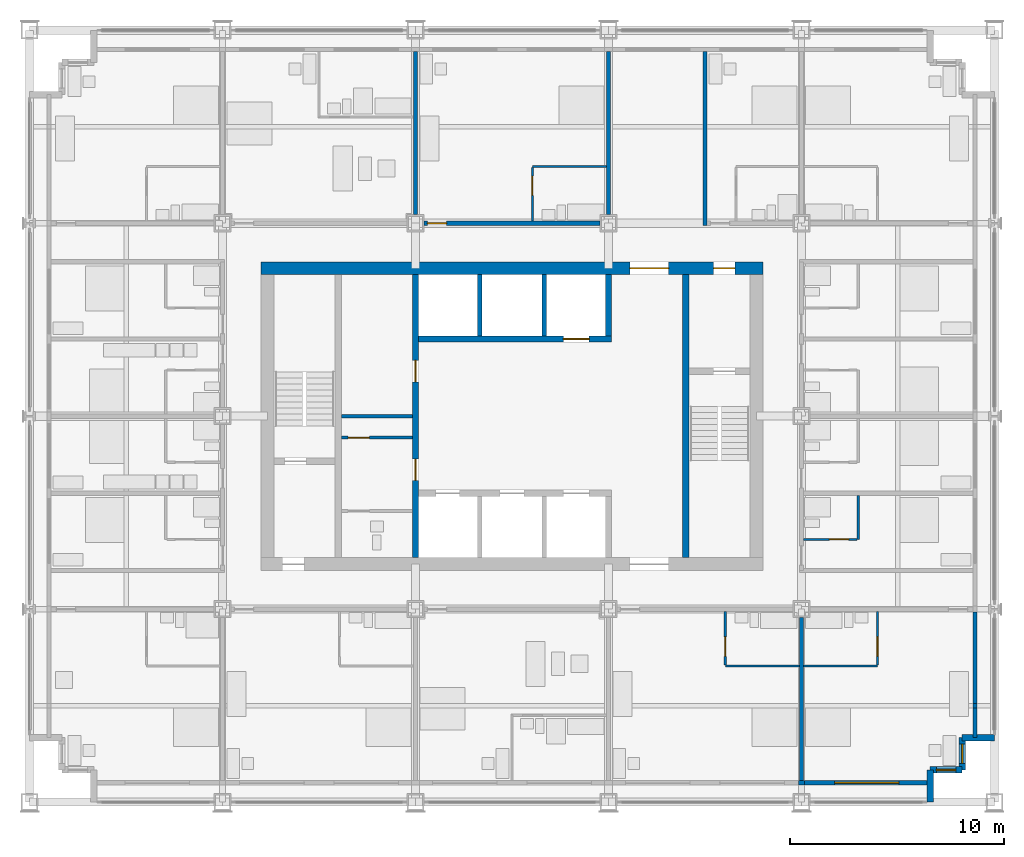
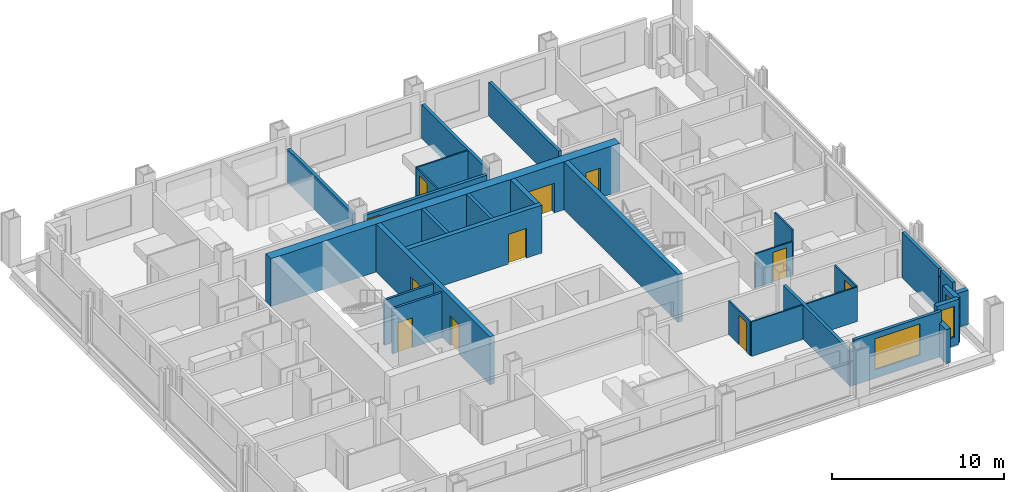
# One storey, part 11 of 16: 31 walls, 11 doors, 3 windows, 14 openings.
"""IFC4 building model written with IfcOpenShell, lengths in metres."""

from ifc_helpers import new_model, si_unit, direction, frame, frame_2d, origin, place, context, subcontext, project, spatial, rectangle, extrude, material, layer, layer_set, type_object, element, fill, save


model = new_model("IFC4")

# Units and contexts
model_context = context("Model", 3, precision=1e-05, world=origin(), true_north=direction((0.0, 1.0)))
body_context = subcontext(model_context, "Body", "Model", "MODEL_VIEW")
ifc_project = project(units=[si_unit("LENGTHUNIT", "METRE"), si_unit("AREAUNIT", "SQUARE_METRE"), si_unit("VOLUMEUNIT", "CUBIC_METRE"), si_unit("PLANEANGLEUNIT", "RADIAN"), si_unit("MASSUNIT", "GRAM", prefix="KILO")], contexts=[model_context])

# Site, building, storey
site_placement = place(None, origin())
site = spatial("IfcSite", under=ifc_project, at=site_placement, CompositionType="ELEMENT")
building_placement = place(site_placement, origin())
building = spatial("IfcBuilding", under=site, at=building_placement, Name="Loomwork Tower", CompositionType="ELEMENT")
storey_placement = place(building_placement, frame((0.0, 0.0, 107.800048828125)))
storey = spatial("IfcBuildingStorey", under=building, at=storey_placement, Name="L28", CompositionType="ELEMENT", Elevation=107.800048828125)

# Wall, openings, doors
ifc_material_1 = material(Name="Concrete 14000 psi (97 MPa)", Category="concrete")
ifc_layer_1 = layer(ifc_material_1, 0.300048828125)
ifc_layer_set_1 = layer_set([ifc_layer_1], Name="Core shear wall 300")
wall_type_1 = type_object("IfcWallType", Name="Core shear wall 300", PredefinedType="SHEAR", material=ifc_layer_set_1)
wall_1_placement = place(storey_placement, frame((18.0, 11.39990234375, 0.0), z_axis=(0.0, 0.0, 1.0), x_axis=(0.0, 1.0, 0.0)))
wall_1 = element("IfcWall", 1, at=wall_1_placement, inside=storey, type_object=wall_type_1, Name="Lobby west wall L28", PredefinedType="SHEAR", context=body_context, shape_type="SweptSolid", body=[
    extrude(rectangle(XDim=13.2001953125, YDim=0.300048828125, at=frame_2d((6.60009765625, 0.0))), origin(), (0.0, 0.0, 1.0), 3.39990234375),
])
opening_1_placement = place(wall_1_placement, frame((3.60009765625, 0.0, 0.0)))
opening_1 = element("IfcOpeningElement", 2, at=opening_1_placement, cuts=wall_1, Name="Opening D5", PredefinedType="OPENING", context=body_context, shape_type="SweptSolid", body=[
    extrude(rectangle(XDim=1.0, YDim=2.10009765625, at=frame_2d((0.5, 1.050048828125))), frame((0.0, 0.159912109375, 0.0), z_axis=(0.0, -1.0, 0.0), x_axis=(1.0, 0.0, 0.0)), (0.0, 0.0, 1.0), 0.320068359375),
])
opening_2_placement = place(wall_1_placement, frame((8.199951171875, 0.0, 0.0)))
opening_2 = element("IfcOpeningElement", 3, at=opening_2_placement, cuts=wall_1, Name="Opening D5", PredefinedType="OPENING", context=body_context, shape_type="SweptSolid", body=[
    extrude(rectangle(XDim=1.0, YDim=2.10009765625, at=frame_2d((0.5, 1.050048828125))), frame((0.0, 0.159912109375, 0.0), z_axis=(0.0, -1.0, 0.0), x_axis=(1.0, 0.0, 0.0)), (0.0, 0.0, 1.0), 0.320068359375),
])
ifc_material_2 = material(Name="Hollow metal door and frame")
door_type_1 = type_object("IfcDoorType", Name="Service door 1000", OperationType="SINGLE_SWING_LEFT", PredefinedType="DOOR", material=ifc_material_2)
door_1_placement = place(opening_1_placement, origin())
door_1 = element("IfcDoor", 4, at=door_1_placement, inside=storey, type_object=door_type_1, Name="Back-of-house door south", OperationType="SINGLE_SWING_LEFT", OverallHeight=2.10009765625, OverallWidth=1.0, PredefinedType="DOOR", context=body_context, shape_type="SweptSolid", body=[
    extrude(rectangle(XDim=1.0, YDim=2.10009765625, at=frame_2d((0.5, 1.050048828125))), frame((0.0, 0.02490234375, 0.0), z_axis=(0.0, -1.0, 0.0), x_axis=(1.0, 0.0, 0.0)), (0.0, 0.0, 1.0), 0.050048828125),
])
fill(opening_1, door_1)
door_2_placement = place(opening_2_placement, origin())
door_2 = element("IfcDoor", 5, at=door_2_placement, inside=storey, type_object=door_type_1, Name="Back-of-house door north", OperationType="SINGLE_SWING_RIGHT", OverallHeight=2.10009765625, OverallWidth=1.0, PredefinedType="DOOR", context=body_context, shape_type="SweptSolid", body=[
    extrude(rectangle(XDim=1.0, YDim=2.10009765625, at=frame_2d((0.5, 1.050048828125))), frame((0.0, 0.02490234375, 0.0), z_axis=(0.0, -1.0, 0.0), x_axis=(1.0, 0.0, 0.0)), (0.0, 0.0, 1.0), 0.050048828125),
])
fill(opening_2, door_2)

# Wall, opening, door
wall_2_placement = place(storey_placement, frame((18.14990234375, 21.60009765625, 0.0), z_axis=(0.0, 0.0, 1.0), x_axis=(1.0, 0.0, 0.0)))
wall_2 = element("IfcWall", 6, at=wall_2_placement, inside=storey, type_object=wall_type_1, Name="Lift front wall north L28", PredefinedType="SHEAR", context=body_context, shape_type="SweptSolid", body=[
    extrude(rectangle(XDim=9.0, YDim=0.300048828125, at=frame_2d((4.5, 0.0))), origin(), (0.0, 0.0, 1.0), 3.39990234375),
])
opening_3_placement = place(wall_2_placement, frame((6.75, 0.0, 0.0)))
opening_3 = element("IfcOpeningElement", 7, at=opening_3_placement, cuts=wall_2, Name="Opening LD2", PredefinedType="OPENING", context=body_context, shape_type="SweptSolid", body=[
    extrude(rectangle(XDim=1.199951171875, YDim=2.10009765625, at=frame_2d((0.60009765625, 1.050048828125))), frame((0.0, 0.159912109375, 0.0), z_axis=(0.0, -1.0, 0.0), x_axis=(1.0, 0.0, 0.0)), (0.0, 0.0, 1.0), 0.320068359375),
])
ifc_material_3 = material(Name="Hollow metal door and frame")
door_type_2 = type_object("IfcDoorType", Name="Lift landing door 1200", OperationType="SLIDING_TO_LEFT", PredefinedType="DOOR", material=ifc_material_3)
door_3_placement = place(opening_3_placement, origin())
door_3 = element("IfcDoor", 8, at=door_3_placement, inside=storey, type_object=door_type_2, Name="Lift landing door LF2", OperationType="SLIDING_TO_LEFT", OverallHeight=2.10009765625, OverallWidth=1.199951171875, PredefinedType="DOOR", context=body_context, shape_type="SweptSolid", body=[
    extrude(rectangle(XDim=1.199951171875, YDim=2.10009765625, at=frame_2d((0.60009765625, 1.050048828125))), frame((0.0, 0.02490234375, 0.0), z_axis=(0.0, -1.0, 0.0), x_axis=(1.0, 0.0, 0.0)), (0.0, 0.0, 1.0), 0.050048828125),
])
fill(opening_3, door_3)

# Walls
wall_3_placement = place(storey_placement, frame((27.0, 21.75, 0.0), z_axis=(0.0, 0.0, 1.0), x_axis=(0.0, 1.0, 0.0)))
element("IfcWall", 9, at=wall_3_placement, inside=storey, type_object=wall_type_1, Name="Lift shaft end wall north L28", PredefinedType="SHEAR", context=body_context, shape_type="SweptSolid", body=[
    extrude(rectangle(XDim=2.85009765625, YDim=0.300048828125, at=frame_2d((1.425048828125, 0.0))), origin(), (0.0, 0.0, 1.0), 3.39990234375),
])
wall_4_placement = place(storey_placement, frame((30.60009765625, 11.39990234375, 0.0), z_axis=(0.0, 0.0, 1.0), x_axis=(0.0, 1.0, 0.0)))
element("IfcWall", 10, at=wall_4_placement, inside=storey, type_object=wall_type_1, Name="Stair B west wall L28", PredefinedType="SHEAR", context=body_context, shape_type="SweptSolid", body=[
    extrude(rectangle(XDim=13.2001953125, YDim=0.300048828125, at=frame_2d((6.60009765625, 0.0))), origin(), (0.0, 0.0, 1.0), 3.39990234375),
])

# Wall, openings, doors
ifc_material_4 = material(Name="Concrete 14000 psi (97 MPa)", Category="concrete")
ifc_layer_2 = layer(ifc_material_4, 0.60009765625)
ifc_layer_set_2 = layer_set([ifc_layer_2], Name="Core shear wall 600")
wall_type_2 = type_object("IfcWallType", Name="Core shear wall 600", PredefinedType="SHEAR", material=ifc_layer_set_2)
wall_5_placement = place(storey_placement, frame((10.800048828125, 24.89990234375, 0.0), z_axis=(0.0, 0.0, 1.0), x_axis=(1.0, 0.0, 0.0)))
wall_5 = element("IfcWall", 11, at=wall_5_placement, inside=storey, type_object=wall_type_2, Name="Core wall north L28", PredefinedType="SHEAR", context=body_context, shape_type="SweptSolid", body=[
    extrude(rectangle(XDim=23.39990234375, YDim=0.60009765625, at=frame_2d((11.699951171875, 0.0))), origin(), (0.0, 0.0, 1.0), 3.39990234375),
])
opening_4_placement = place(wall_5_placement, frame((17.199951171875, 0.0, 0.0)))
opening_4 = element("IfcOpeningElement", 12, at=opening_4_placement, cuts=wall_5, Name="Opening D6", PredefinedType="OPENING", context=body_context, shape_type="SweptSolid", body=[
    extrude(rectangle(XDim=1.800048828125, YDim=2.10009765625, at=frame_2d((0.89990234375, 1.050048828125))), frame((0.0, 0.31005859375, 0.0), z_axis=(0.0, -1.0, 0.0), x_axis=(1.0, 0.0, 0.0)), (0.0, 0.0, 1.0), 0.6201171875),
])
opening_5_placement = place(wall_5_placement, frame((21.10009765625, 0.0, 0.0)))
opening_5 = element("IfcOpeningElement", 13, at=opening_5_placement, cuts=wall_5, Name="Opening D4", PredefinedType="OPENING", context=body_context, shape_type="SweptSolid", body=[
    extrude(rectangle(XDim=1.0, YDim=2.10009765625, at=frame_2d((0.5, 1.050048828125))), frame((0.0, 0.31005859375, 0.0), z_axis=(0.0, -1.0, 0.0), x_axis=(1.0, 0.0, 0.0)), (0.0, 0.0, 1.0), 0.6201171875),
])
ifc_material_5 = material(Name="Hollow metal door and frame")
door_type_3 = type_object("IfcDoorType", Name="Lobby passage double door 1800", OperationType="DOUBLE_DOOR_SINGLE_SWING", PredefinedType="DOOR", material=ifc_material_5)
door_4_placement = place(opening_4_placement, frame((1.800048828125, 0.0, 0.0), z_axis=(0.0, 0.0, 1.0), x_axis=(-1.0, 0.0, 0.0)))
door_4 = element("IfcDoor", 14, at=door_4_placement, inside=storey, type_object=door_type_3, Name="Lobby passage door north", OperationType="DOUBLE_DOOR_SINGLE_SWING", OverallHeight=2.10009765625, OverallWidth=1.800048828125, PredefinedType="DOOR", context=body_context, shape_type="SweptSolid", body=[
    extrude(rectangle(XDim=1.800048828125, YDim=2.10009765625, at=frame_2d((0.89990234375, 1.050048828125))), frame((0.0, 0.02490234375, 0.0), z_axis=(0.0, -1.0, 0.0), x_axis=(1.0, 0.0, 0.0)), (0.0, 0.0, 1.0), 0.050048828125),
])
fill(opening_4, door_4)
ifc_material_6 = material(Name="Hollow metal door and frame")
door_type_4 = type_object("IfcDoorType", Name="Stair door 1000", OperationType="SINGLE_SWING_RIGHT", PredefinedType="DOOR", material=ifc_material_6)
door_5_placement = place(opening_5_placement, frame((1.0, 0.0, 0.0), z_axis=(0.0, 0.0, 1.0), x_axis=(-1.0, 0.0, 0.0)))
door_5 = element("IfcDoor", 15, at=door_5_placement, inside=storey, type_object=door_type_4, Name="Stair B vestibule door", OperationType="SINGLE_SWING_LEFT", OverallHeight=2.10009765625, OverallWidth=1.0, PredefinedType="DOOR", context=body_context, shape_type="SweptSolid", body=[
    extrude(rectangle(XDim=1.0, YDim=2.10009765625, at=frame_2d((0.5, 1.050048828125))), frame((0.0, 0.02490234375, 0.0), z_axis=(0.0, -1.0, 0.0), x_axis=(1.0, 0.0, 0.0)), (0.0, 0.0, 1.0), 0.050048828125),
])
fill(opening_5, door_5)

# Wall, opening, door
ifc_material_7 = material(Name="Gypsum board on steel studs, one-hour", Category="steel")
ifc_layer_3 = layer(ifc_material_7, 0.199951171875)
ifc_layer_set_3 = layer_set([ifc_layer_3], Name="Corridor wall 200")
wall_type_3 = type_object("IfcWallType", Name="Corridor wall 200", PredefinedType="PARTITIONING", material=ifc_layer_set_3)
wall_6_placement = place(storey_placement, frame((18.39990234375, 27.0, 0.0), z_axis=(0.0, 0.0, 1.0), x_axis=(1.0, 0.0, 0.0)))
wall_6 = element("IfcWall", 16, at=wall_6_placement, inside=storey, type_object=wall_type_3, Name="North corridor wall 3", PredefinedType="PARTITIONING", context=body_context, shape_type="SweptSolid", body=[
    extrude(rectangle(XDim=8.2001953125, YDim=0.199951171875, at=frame_2d((4.10009765625, 0.0))), origin(), (0.0, 0.0, 1.0), 2.405029296875),
])
opening_6_placement = place(wall_6_placement, frame((0.14990234375, 0.0, 0.0)))
opening_6 = element("IfcOpeningElement", 17, at=opening_6_placement, cuts=wall_6, Name="Opening D1", PredefinedType="OPENING", context=body_context, shape_type="SweptSolid", body=[
    extrude(rectangle(XDim=0.89990234375, YDim=2.10009765625, at=frame_2d((0.449951171875, 1.050048828125))), frame((0.0, 0.10986328125, 0.0), z_axis=(0.0, -1.0, 0.0), x_axis=(1.0, 0.0, 0.0)), (0.0, 0.0, 1.0), 0.219970703125),
])
ifc_material_8 = material(Name="Hollow metal door and frame")
door_type_5 = type_object("IfcDoorType", Name="Guest room entry door 900", OperationType="SINGLE_SWING_LEFT", PredefinedType="DOOR", material=ifc_material_8)
door_6_placement = place(opening_6_placement, origin())
door_6 = element("IfcDoor", 18, at=door_6_placement, inside=storey, type_object=door_type_5, Name="Guest room entry door L28 8", OperationType="SINGLE_SWING_LEFT", OverallHeight=2.10009765625, OverallWidth=0.89990234375, PredefinedType="DOOR", context=body_context, shape_type="SweptSolid", body=[
    extrude(rectangle(XDim=0.89990234375, YDim=2.10009765625, at=frame_2d((0.449951171875, 1.050048828125))), frame((0.0, 0.02490234375, 0.0), z_axis=(0.0, -1.0, 0.0), x_axis=(1.0, 0.0, 0.0)), (0.0, 0.0, 1.0), 0.050048828125),
])
fill(opening_6, door_6)

# Wall
ifc_material_9 = material(Name="Cement board on steel studs", Category="steel")
ifc_layer_4 = layer(ifc_material_9, 0.10009765625)
ifc_layer_set_4 = layer_set([ifc_layer_4], Name="En-suite partition 100")
wall_type_4 = type_object("IfcWallType", Name="En-suite partition 100", PredefinedType="PARTITIONING", material=ifc_layer_set_4)
wall_7_placement = place(storey_placement, frame((32.449951171875, 6.35009765625, 0.0), z_axis=(0.0, 0.0, 1.0), x_axis=(1.0, 0.0, 0.0)))
element("IfcWall", 19, at=wall_7_placement, inside=storey, type_object=wall_type_4, Name="En-suite wall L28 room 4", PredefinedType="PARTITIONING", context=body_context, shape_type="SweptSolid", body=[
    extrude(rectangle(XDim=3.449951171875, YDim=0.10009765625, at=frame_2d((1.72509765625, 0.0))), origin(), (0.0, 0.0, 1.0), 2.43798828125),
])

# Wall, opening, door
wall_8_placement = place(storey_placement, frame((32.449951171875, 8.89990234375, 0.0), z_axis=(0.0, 0.0, 1.0), x_axis=(0.0, -1.0, 0.0)))
wall_8 = element("IfcWall", 20, at=wall_8_placement, inside=storey, type_object=wall_type_4, Name="En-suite side wall L28 room 4", PredefinedType="PARTITIONING", context=body_context, shape_type="SweptSolid", body=[
    extrude(rectangle(XDim=2.5, YDim=0.10009765625, at=frame_2d((1.25, 0.0))), origin(), (0.0, 0.0, 1.0), 2.404052734375),
])
opening_7_placement = place(wall_8_placement, frame((1.199951171875, 0.0, 0.0)))
opening_7 = element("IfcOpeningElement", 21, at=opening_7_placement, cuts=wall_8, Name="Opening D2", PredefinedType="OPENING", context=body_context, shape_type="SweptSolid", body=[
    extrude(rectangle(XDim=0.89990234375, YDim=2.10009765625, at=frame_2d((0.449951171875, 1.050048828125))), frame((0.0, 0.06005859375, 0.0), z_axis=(0.0, -1.0, 0.0), x_axis=(1.0, 0.0, 0.0)), (0.0, 0.0, 1.0), 0.1201171875),
])
ifc_material_10 = material(Name="Hollow metal door and frame")
door_type_6 = type_object("IfcDoorType", Name="En-suite door 900", OperationType="SINGLE_SWING_LEFT", PredefinedType="DOOR", material=ifc_material_10)
door_7_placement = place(opening_7_placement, origin())
door_7 = element("IfcDoor", 22, at=door_7_placement, inside=storey, type_object=door_type_6, Name="En-suite door room 4", OperationType="SINGLE_SWING_RIGHT", OverallHeight=2.10009765625, OverallWidth=0.89990234375, PredefinedType="DOOR", context=body_context, shape_type="SweptSolid", body=[
    extrude(rectangle(XDim=0.89990234375, YDim=2.10009765625, at=frame_2d((0.449951171875, 1.050048828125))), frame((0.0, 0.02490234375, 0.0), z_axis=(0.0, -1.0, 0.0), x_axis=(1.0, 0.0, 0.0)), (0.0, 0.0, 1.0), 0.050048828125),
])
fill(opening_7, door_7)

# Wall
wall_9_placement = place(storey_placement, frame((36.10009765625, 6.35009765625, 0.0), z_axis=(0.0, 0.0, 1.0), x_axis=(1.0, 0.0, 0.0)))
element("IfcWall", 23, at=wall_9_placement, inside=storey, type_object=wall_type_4, Name="En-suite wall L28 room 5", PredefinedType="PARTITIONING", context=body_context, shape_type="SweptSolid", body=[
    extrude(rectangle(XDim=3.449951171875, YDim=0.10009765625, at=frame_2d((1.72509765625, 0.0))), origin(), (0.0, 0.0, 1.0), 2.43798828125),
])

# Wall, opening, door
wall_10_placement = place(storey_placement, frame((39.550048828125, 8.89990234375, 0.0), z_axis=(0.0, 0.0, 1.0), x_axis=(0.0, -1.0, 0.0)))
wall_10 = element("IfcWall", 24, at=wall_10_placement, inside=storey, type_object=wall_type_4, Name="En-suite side wall L28 room 5", PredefinedType="PARTITIONING", context=body_context, shape_type="SweptSolid", body=[
    extrude(rectangle(XDim=2.5, YDim=0.10009765625, at=frame_2d((1.25, 0.0))), origin(), (0.0, 0.0, 1.0), 2.43798828125),
])
opening_8_placement = place(wall_10_placement, frame((1.199951171875, 0.0, 0.0)))
opening_8 = element("IfcOpeningElement", 25, at=opening_8_placement, cuts=wall_10, Name="Opening D2", PredefinedType="OPENING", context=body_context, shape_type="SweptSolid", body=[
    extrude(rectangle(XDim=0.89990234375, YDim=2.10009765625, at=frame_2d((0.449951171875, 1.050048828125))), frame((0.0, 0.06005859375, 0.0), z_axis=(0.0, -1.0, 0.0), x_axis=(1.0, 0.0, 0.0)), (0.0, 0.0, 1.0), 0.1201171875),
])
door_8_placement = place(opening_8_placement, frame((0.89990234375, 0.0, 0.0), z_axis=(0.0, 0.0, 1.0), x_axis=(-1.0, 0.0, 0.0)))
door_8 = element("IfcDoor", 26, at=door_8_placement, inside=storey, type_object=door_type_6, Name="En-suite door room 5", OperationType="SINGLE_SWING_LEFT", OverallHeight=2.10009765625, OverallWidth=0.89990234375, PredefinedType="DOOR", context=body_context, shape_type="SweptSolid", body=[
    extrude(rectangle(XDim=0.89990234375, YDim=2.10009765625, at=frame_2d((0.449951171875, 1.050048828125))), frame((0.0, 0.02490234375, 0.0), z_axis=(0.0, -1.0, 0.0), x_axis=(1.0, 0.0, 0.0)), (0.0, 0.0, 1.0), 0.050048828125),
])
fill(opening_8, door_8)

# Wall
wall_11_placement = place(storey_placement, frame((23.449951171875, 29.64990234375, 0.0), z_axis=(0.0, 0.0, 1.0), x_axis=(1.0, 0.0, 0.0)))
element("IfcWall", 27, at=wall_11_placement, inside=storey, type_object=wall_type_4, Name="En-suite wall L28 room 8", PredefinedType="PARTITIONING", context=body_context, shape_type="SweptSolid", body=[
    extrude(rectangle(XDim=3.449951171875, YDim=0.10009765625, at=frame_2d((1.72509765625, 0.0))), origin(), (0.0, 0.0, 1.0), 2.404052734375),
])

# Wall, opening, door
wall_12_placement = place(storey_placement, frame((23.449951171875, 27.10009765625, 0.0), z_axis=(0.0, 0.0, 1.0), x_axis=(0.0, 1.0, 0.0)))
wall_12 = element("IfcWall", 28, at=wall_12_placement, inside=storey, type_object=wall_type_4, Name="En-suite side wall L28 room 8", PredefinedType="PARTITIONING", context=body_context, shape_type="SweptSolid", body=[
    extrude(rectangle(XDim=2.5, YDim=0.10009765625, at=frame_2d((1.25, 0.0))), origin(), (0.0, 0.0, 1.0), 2.404052734375),
])
opening_9_placement = place(wall_12_placement, frame((1.199951171875, 0.0, 0.0)))
opening_9 = element("IfcOpeningElement", 29, at=opening_9_placement, cuts=wall_12, Name="Opening D2", PredefinedType="OPENING", context=body_context, shape_type="SweptSolid", body=[
    extrude(rectangle(XDim=0.89990234375, YDim=2.10009765625, at=frame_2d((0.449951171875, 1.050048828125))), frame((0.0, 0.06005859375, 0.0), z_axis=(0.0, -1.0, 0.0), x_axis=(1.0, 0.0, 0.0)), (0.0, 0.0, 1.0), 0.1201171875),
])
door_9_placement = place(opening_9_placement, frame((0.89990234375, 0.0, 0.0), z_axis=(0.0, 0.0, 1.0), x_axis=(-1.0, 0.0, 0.0)))
door_9 = element("IfcDoor", 30, at=door_9_placement, inside=storey, type_object=door_type_6, Name="En-suite door room 8", OperationType="SINGLE_SWING_LEFT", OverallHeight=2.10009765625, OverallWidth=0.89990234375, PredefinedType="DOOR", context=body_context, shape_type="SweptSolid", body=[
    extrude(rectangle(XDim=0.89990234375, YDim=2.10009765625, at=frame_2d((0.449951171875, 1.050048828125))), frame((0.0, 0.02490234375, 0.0), z_axis=(0.0, -1.0, 0.0), x_axis=(1.0, 0.0, 0.0)), (0.0, 0.0, 1.0), 0.050048828125),
])
fill(opening_9, door_9)

# Wall
wall_13_placement = place(storey_placement, frame((38.64990234375, 12.25, 0.0), z_axis=(0.0, 0.0, 1.0), x_axis=(0.0, 1.0, 0.0)))
element("IfcWall", 31, at=wall_13_placement, inside=storey, type_object=wall_type_4, Name="En-suite wall L28 room 15", PredefinedType="PARTITIONING", context=body_context, shape_type="SweptSolid", body=[
    extrude(rectangle(XDim=2.050048828125, YDim=0.10009765625, at=frame_2d((1.02490234375, 0.0))), origin(), (0.0, 0.0, 1.0), 3.199951171875),
])

# Wall, opening, door
wall_14_placement = place(storey_placement, frame((36.10009765625, 12.25, 0.0), z_axis=(0.0, 0.0, 1.0), x_axis=(1.0, 0.0, 0.0)))
wall_14 = element("IfcWall", 32, at=wall_14_placement, inside=storey, type_object=wall_type_4, Name="En-suite side wall L28 room 15", PredefinedType="PARTITIONING", context=body_context, shape_type="SweptSolid", body=[
    extrude(rectangle(XDim=2.5, YDim=0.10009765625, at=frame_2d((1.25, 0.0))), origin(), (0.0, 0.0, 1.0), 2.404052734375),
])
opening_10_placement = place(wall_14_placement, frame((1.199951171875, 0.0, 0.0)))
opening_10 = element("IfcOpeningElement", 33, at=opening_10_placement, cuts=wall_14, Name="Opening D2", PredefinedType="OPENING", context=body_context, shape_type="SweptSolid", body=[
    extrude(rectangle(XDim=0.89990234375, YDim=2.10009765625, at=frame_2d((0.449951171875, 1.050048828125))), frame((0.0, 0.06005859375, 0.0), z_axis=(0.0, -1.0, 0.0), x_axis=(1.0, 0.0, 0.0)), (0.0, 0.0, 1.0), 0.1201171875),
])
door_10_placement = place(opening_10_placement, origin())
door_10 = element("IfcDoor", 34, at=door_10_placement, inside=storey, type_object=door_type_6, Name="En-suite door room 15", OperationType="SINGLE_SWING_RIGHT", OverallHeight=2.10009765625, OverallWidth=0.89990234375, PredefinedType="DOOR", context=body_context, shape_type="SweptSolid", body=[
    extrude(rectangle(XDim=0.89990234375, YDim=2.10009765625, at=frame_2d((0.449951171875, 1.050048828125))), frame((0.0, 0.02490234375, 0.0), z_axis=(0.0, -1.0, 0.0), x_axis=(1.0, 0.0, 0.0)), (0.0, 0.0, 1.0), 0.050048828125),
])
fill(opening_10, door_10)

# Walls
ifc_material_11 = material(Name="Gypsum board on steel studs, acoustic", Category="steel")
ifc_layer_5 = layer(ifc_material_11, 0.199951171875)
ifc_layer_set_5 = layer_set([ifc_layer_5], Name="Guest room party wall 200")
wall_type_5 = type_object("IfcWallType", Name="Guest room party wall 200", PredefinedType="PARTITIONING", material=ifc_layer_set_5)
wall_15_placement = place(storey_placement, frame((36.0, 8.60009765625, 0.0), z_axis=(0.0, 0.0, 1.0), x_axis=(0.0, -1.0, 0.0)))
element("IfcWall", 35, at=wall_15_placement, inside=storey, type_object=wall_type_5, Name="Guest room party wall S 36", PredefinedType="PARTITIONING", context=body_context, shape_type="SweptSolid", body=[
    extrude(rectangle(XDim=7.60009765625, YDim=0.199951171875, at=frame_2d((3.800048828125, 0.0))), origin(), (0.0, 0.0, 1.0), 2.43798828125),
])
for number, where, z_axis, x_axis, name in (
    (36, (18.0, 27.39990234375, 0.0), (0.0, 0.0, 1.0), (0.0, 1.0, 0.0), "Guest room party wall N 18"),
    (37, (27.0, 27.39990234375, 0.0), (0.0, 0.0, 1.0), (0.0, 1.0, 0.0), "Guest room party wall N 27"),
):
    element("IfcWall", number, at=place(storey_placement, frame(where, z_axis=z_axis, x_axis=x_axis)), inside=storey, type_object=wall_type_5, Name=name, PredefinedType="PARTITIONING", context=body_context, shape_type="SweptSolid", body=[
        extrude(rectangle(XDim=7.60009765625, YDim=0.199951171875, at=frame_2d((3.800048828125, 0.0))), origin(), (0.0, 0.0, 1.0), 2.405029296875),
    ])
wall_16_placement = place(storey_placement, frame((31.5, 26.89990234375, 0.0), z_axis=(0.0, 0.0, 1.0), x_axis=(0.0, 1.0, 0.0)))
element("IfcWall", 38, at=wall_16_placement, inside=storey, type_object=wall_type_5, Name="Guest room party wall N 31.5", PredefinedType="PARTITIONING", context=body_context, shape_type="SweptSolid", body=[
    extrude(rectangle(XDim=8.10009765625, YDim=0.199951171875, at=frame_2d((4.050048828125, 0.0))), origin(), (0.0, 0.0, 1.0), 2.404052734375),
])
ifc_material_12 = material(Name="Insulated steel stud wall with gypsum lining", Category="steel")
ifc_layer_6 = layer(ifc_material_12, 0.199951171875)
ifc_layer_set_6 = layer_set([ifc_layer_6], Name="Inner skin wall 200")
wall_type_6 = type_object("IfcWallType", Name="Inner skin wall 200", PredefinedType="SOLIDWALL", material=ifc_layer_set_6)
wall_17_placement = place(storey_placement, frame((44.10009765625, 3.0, 0.0), z_axis=(0.0, 0.0, 1.0), x_axis=(0.0, 1.0, 0.0)))
element("IfcWall", 39, at=wall_17_placement, inside=storey, type_object=wall_type_6, Name="Inner skin wall E", PredefinedType="SOLIDWALL", context=body_context, shape_type="SweptSolid", body=[
    extrude(rectangle(XDim=1.392578125, YDim=0.199951171875, at=frame_2d((0.6962890625, 0.0))), origin(), (0.0, 0.0, 1.0), 3.199951171875),
])
wall_18_placement = place(storey_placement, frame((35.864501953125, 0.89990234375, 0.0), z_axis=(0.0, 0.0, 1.0), x_axis=(1.0, 0.0, 0.0)))
element("IfcWall", 40, at=wall_18_placement, inside=storey, type_object=wall_type_6, Name="Inner skin wall S bay 8", PredefinedType="SOLIDWALL", context=body_context, shape_type="SweptSolid", body=[
    extrude(rectangle(XDim=0.27099609375, YDim=0.199951171875, at=frame_2d((0.135498046875, 0.0))), origin(), (0.0, 0.0, 1.0), 2.43798828125),
])

# Wall, opening, window
wall_19_placement = place(storey_placement, frame((36.135498046875, 0.89990234375, 0.0), z_axis=(0.0, 0.0, 1.0), x_axis=(1.0, 0.0, 0.0)))
wall_19 = element("IfcWall", 41, at=wall_19_placement, inside=storey, type_object=wall_type_6, Name="Inner skin wall S bay 9", PredefinedType="SOLIDWALL", context=body_context, shape_type="SweptSolid", body=[
    extrude(rectangle(XDim=5.864501953125, YDim=0.199951171875, at=frame_2d((2.93212890625, 0.0))), origin(), (0.0, 0.0, 1.0), 3.199951171875),
])
opening_11_placement = place(wall_19_placement, frame((1.41455078125, 0.0, 0.60009765625)))
opening_11 = element("IfcOpeningElement", 42, at=opening_11_placement, cuts=wall_19, Name="Opening CH1", PredefinedType="OPENING", context=body_context, shape_type="SweptSolid", body=[
    extrude(rectangle(XDim=3.0, YDim=2.199951171875, at=frame_2d((1.5, 1.10009765625))), frame((0.0, 0.10986328125, 0.0), z_axis=(0.0, -1.0, 0.0), x_axis=(1.0, 0.0, 0.0)), (0.0, 0.0, 1.0), 0.219970703125),
])
ifc_material_13 = material(Name="Aluminium frame with clear insulated glass", Category="aluminium")
window_type_1 = type_object("IfcWindowType", Name="Chicago window 3000", PartitioningType="TRIPLE_PANEL_VERTICAL", PredefinedType="WINDOW", material=ifc_material_13)
window_1_placement = place(opening_11_placement, origin())
window_1 = element("IfcWindow", 43, at=window_1_placement, inside=storey, type_object=window_type_1, Name="Chicago window L28 bay 5", OverallHeight=2.199951171875, OverallWidth=3.0, PartitioningType="TRIPLE_PANEL_VERTICAL", PredefinedType="WINDOW", context=body_context, shape_type="SweptSolid", body=[
    extrude(rectangle(XDim=3.0, YDim=2.199951171875, at=frame_2d((1.5, 1.10009765625))), frame((0.0, 0.030029296875, 0.0), z_axis=(0.0, -1.0, 0.0), x_axis=(1.0, 0.0, 0.0)), (0.0, 0.0, 1.0), 0.06005859375),
])
fill(opening_11, window_1)

# Walls
wall_20_placement = place(storey_placement, frame((44.10009765625, 4.392578125, 0.0), z_axis=(0.0, 0.0, 1.0), x_axis=(0.0, 1.0, 0.0)))
element("IfcWall", 44, at=wall_20_placement, inside=storey, type_object=wall_type_6, Name="Inner skin wall E bay 2", PredefinedType="SOLIDWALL", context=body_context, shape_type="SweptSolid", body=[
    extrude(rectangle(XDim=0.21484375, YDim=0.199951171875, at=frame_2d((0.107421875, 0.0))), origin(), (0.0, 0.0, 1.0), 2.660888671875),
])
wall_21_placement = place(storey_placement, frame((44.10009765625, 4.607421875, 0.0), z_axis=(0.0, 0.0, 1.0), x_axis=(0.0, 1.0, 0.0)))
element("IfcWall", 45, at=wall_21_placement, inside=storey, type_object=wall_type_6, Name="Inner skin wall E bay 3", PredefinedType="SOLIDWALL", context=body_context, shape_type="SweptSolid", body=[
    extrude(rectangle(XDim=4.25732421875, YDim=0.199951171875, at=frame_2d((2.128662109375, 0.0))), origin(), (0.0, 0.0, 1.0), 3.199951171875),
])
ifc_material_14 = material(Name="Concrete 14000 psi (97 MPa)", Category="concrete")
ifc_layer_7 = layer(ifc_material_14, 0.199951171875)
ifc_layer_set_7 = layer_set([ifc_layer_7], Name="Lift shaft wall 200")
wall_type_7 = type_object("IfcWallType", Name="Lift shaft wall 200", PredefinedType="SHEAR", material=ifc_layer_set_7)
for number, where, z_axis, x_axis, name in (
    (46, (21.0, 21.75, 0.0), (0.0, 0.0, 1.0), (0.0, 1.0, 0.0), "Lift shaft separation wall north 1 L28"),
    (47, (24.0, 21.75, 0.0), (0.0, 0.0, 1.0), (0.0, 1.0, 0.0), "Lift shaft separation wall north 2 L28"),
):
    element("IfcWall", number, at=place(storey_placement, frame(where, z_axis=z_axis, x_axis=x_axis)), inside=storey, type_object=wall_type_7, Name=name, PredefinedType="SHEAR", context=body_context, shape_type="SweptSolid", body=[
        extrude(rectangle(XDim=2.85009765625, YDim=0.199951171875, at=frame_2d((1.425048828125, 0.0))), origin(), (0.0, 0.0, 1.0), 3.39990234375),
    ])
ifc_material_15 = material(Name="Limestone on concrete masonry", Category="masonry")
ifc_layer_8 = layer(ifc_material_15, 0.300048828125)
ifc_layer_set_8 = layer_set([ifc_layer_8], Name="Limestone corner wall 300")
wall_type_8 = type_object("IfcWallType", Name="Limestone corner wall 300", PredefinedType="SOLIDWALL", material=ifc_layer_set_8)
wall_22_placement = place(storey_placement, frame((42.0, 0.0, 0.0), z_axis=(0.0, 0.0, 1.0), x_axis=(0.0, 1.0, 0.0)))
element("IfcWall", 48, at=wall_22_placement, inside=storey, type_object=wall_type_8, Name="Stone corner wall SE 1", PredefinedType="SOLIDWALL", context=body_context, shape_type="SweptSolid", body=[
    extrude(rectangle(XDim=1.5, YDim=0.300048828125, at=frame_2d((0.75, 0.0))), origin(), (0.0, 0.0, 1.0), 2.419921875),
])

# Wall, opening, window
wall_23_placement = place(storey_placement, frame((42.0, 1.5, 0.0), z_axis=(0.0, 0.0, 1.0), x_axis=(1.0, 0.0, 0.0)))
wall_23 = element("IfcWall", 49, at=wall_23_placement, inside=storey, type_object=wall_type_8, Name="Stone corner wall SE 2", PredefinedType="SOLIDWALL", context=body_context, shape_type="SweptSolid", body=[
    extrude(rectangle(XDim=1.5, YDim=0.300048828125, at=frame_2d((0.75, 0.0))), origin(), (0.0, 0.0, 1.0), 3.199951171875),
])
opening_12_placement = place(wall_23_placement, frame((0.300048828125, 0.0, 0.60009765625)))
opening_12 = element("IfcOpeningElement", 50, at=opening_12_placement, cuts=wall_23, Name="Opening CH2", PredefinedType="OPENING", context=body_context, shape_type="SweptSolid", body=[
    extrude(rectangle(XDim=0.89990234375, YDim=2.199951171875, at=frame_2d((0.449951171875, 1.10009765625))), frame((0.0, 0.159912109375, 0.0), z_axis=(0.0, -1.0, 0.0), x_axis=(1.0, 0.0, 0.0)), (0.0, 0.0, 1.0), 0.320068359375),
])
ifc_material_16 = material(Name="Aluminium frame with clear insulated glass", Category="aluminium")
window_type_2 = type_object("IfcWindowType", Name="Corner window 900", PartitioningType="SINGLE_PANEL", PredefinedType="WINDOW", material=ifc_material_16)
window_2_placement = place(opening_12_placement, origin())
window_2 = element("IfcWindow", 51, at=window_2_placement, inside=storey, type_object=window_type_2, Name="Corner window SE", OverallHeight=2.199951171875, OverallWidth=0.89990234375, PartitioningType="SINGLE_PANEL", PredefinedType="WINDOW", context=body_context, shape_type="SweptSolid", body=[
    extrude(rectangle(XDim=0.89990234375, YDim=2.199951171875, at=frame_2d((0.449951171875, 1.10009765625))), frame((0.0, 0.030029296875, 0.0), z_axis=(0.0, -1.0, 0.0), x_axis=(1.0, 0.0, 0.0)), (0.0, 0.0, 1.0), 0.06005859375),
])
fill(opening_12, window_2)

wall_24_placement = place(storey_placement, frame((43.5, 1.5, 0.0), z_axis=(0.0, 0.0, 1.0), x_axis=(0.0, 1.0, 0.0)))
wall_24 = element("IfcWall", 52, at=wall_24_placement, inside=storey, type_object=wall_type_8, Name="Stone corner wall SE 3", PredefinedType="SOLIDWALL", context=body_context, shape_type="SweptSolid", body=[
    extrude(rectangle(XDim=1.5, YDim=0.300048828125, at=frame_2d((0.75, 0.0))), origin(), (0.0, 0.0, 1.0), 3.199951171875),
])
opening_13_placement = place(wall_24_placement, frame((0.300048828125, 0.0, 0.60009765625)))
opening_13 = element("IfcOpeningElement", 53, at=opening_13_placement, cuts=wall_24, Name="Opening CH2", PredefinedType="OPENING", context=body_context, shape_type="SweptSolid", body=[
    extrude(rectangle(XDim=0.89990234375, YDim=2.199951171875, at=frame_2d((0.449951171875, 1.10009765625))), frame((0.0, 0.159912109375, 0.0), z_axis=(0.0, -1.0, 0.0), x_axis=(1.0, 0.0, 0.0)), (0.0, 0.0, 1.0), 0.320068359375),
])
window_3_placement = place(opening_13_placement, origin())
window_3 = element("IfcWindow", 54, at=window_3_placement, inside=storey, type_object=window_type_2, Name="Corner window SE", OverallHeight=2.199951171875, OverallWidth=0.89990234375, PartitioningType="SINGLE_PANEL", PredefinedType="WINDOW", context=body_context, shape_type="SweptSolid", body=[
    extrude(rectangle(XDim=0.89990234375, YDim=2.199951171875, at=frame_2d((0.449951171875, 1.10009765625))), frame((0.0, 0.030029296875, 0.0), z_axis=(0.0, -1.0, 0.0), x_axis=(1.0, 0.0, 0.0)), (0.0, 0.0, 1.0), 0.06005859375),
])
fill(opening_13, window_3)

# Walls
wall_25_placement = place(storey_placement, frame((43.5, 3.0, 0.0), z_axis=(0.0, 0.0, 1.0), x_axis=(1.0, 0.0, 0.0)))
element("IfcWall", 55, at=wall_25_placement, inside=storey, type_object=wall_type_8, Name="Stone corner wall SE 4", PredefinedType="SOLIDWALL", context=body_context, shape_type="SweptSolid", body=[
    extrude(rectangle(XDim=1.5, YDim=0.300048828125, at=frame_2d((0.75, 0.0))), origin(), (0.0, 0.0, 1.0), 2.419921875),
])
ifc_material_17 = material(Name="Gypsum board on steel studs", Category="steel")
ifc_layer_9 = layer(ifc_material_17, 0.14990234375)
ifc_layer_set_9 = layer_set([ifc_layer_9], Name="Partition 150 two-hour")
wall_type_9 = type_object("IfcWallType", Name="Partition 150 two-hour", PredefinedType="PARTITIONING", material=ifc_layer_set_9)
wall_26_placement = place(storey_placement, frame((14.550048828125, 18.0, 0.0), z_axis=(0.0, 0.0, 1.0), x_axis=(1.0, 0.0, 0.0)))
element("IfcWall", 56, at=wall_26_placement, inside=storey, type_object=wall_type_9, Name="Back-of-house dividing wall L28", PredefinedType="PARTITIONING", context=body_context, shape_type="SweptSolid", body=[
    extrude(rectangle(XDim=3.300048828125, YDim=0.14990234375, at=frame_2d((1.64990234375, 0.0))), origin(), (0.0, 0.0, 1.0), 3.199951171875),
])

# Wall, opening, door
ifc_material_18 = material(Name="Gypsum board on steel studs, one-hour", Category="steel")
ifc_layer_10 = layer(ifc_material_18, 0.14990234375)
ifc_layer_set_10 = layer_set([ifc_layer_10], Name="Service partition 150")
wall_type_10 = type_object("IfcWallType", Name="Service partition 150", PredefinedType="PARTITIONING", material=ifc_layer_set_10)
wall_27_placement = place(storey_placement, frame((14.550048828125, 17.0, 0.0), z_axis=(0.0, 0.0, 1.0), x_axis=(1.0, 0.0, 0.0)))
wall_27 = element("IfcWall", 57, at=wall_27_placement, inside=storey, type_object=wall_type_10, Name="Riser enclosure L28", PredefinedType="PARTITIONING", context=body_context, shape_type="SweptSolid", body=[
    extrude(rectangle(XDim=3.300048828125, YDim=0.14990234375, at=frame_2d((1.64990234375, 0.0))), origin(), (0.0, 0.0, 1.0), 3.199951171875),
])
opening_14_placement = place(wall_27_placement, frame((0.300048828125, 0.0, 0.0)))
opening_14 = element("IfcOpeningElement", 58, at=opening_14_placement, cuts=wall_27, Name="Opening D18", PredefinedType="OPENING", context=body_context, shape_type="SweptSolid", body=[
    extrude(rectangle(XDim=1.0, YDim=2.10009765625, at=frame_2d((0.5, 1.050048828125))), frame((0.0, 0.0849609375, 0.0), z_axis=(0.0, -1.0, 0.0), x_axis=(1.0, 0.0, 0.0)), (0.0, 0.0, 1.0), 0.169921875),
])
ifc_material_19 = material(Name="Hollow metal door and frame")
door_type_7 = type_object("IfcDoorType", Name="Ninety-minute service door 1000", OperationType="SINGLE_SWING_LEFT", PredefinedType="DOOR", material=ifc_material_19)
door_11_placement = place(opening_14_placement, frame((1.0, 0.0, 0.0), z_axis=(0.0, 0.0, 1.0), x_axis=(-1.0, 0.0, 0.0)))
door_11 = element("IfcDoor", 59, at=door_11_placement, inside=storey, type_object=door_type_7, Name="Riser access door", OperationType="SINGLE_SWING_RIGHT", OverallHeight=2.10009765625, OverallWidth=1.0, PredefinedType="DOOR", context=body_context, shape_type="SweptSolid", body=[
    extrude(rectangle(XDim=1.0, YDim=2.10009765625, at=frame_2d((0.5, 1.050048828125))), frame((0.0, 0.02490234375, 0.0), z_axis=(0.0, -1.0, 0.0), x_axis=(1.0, 0.0, 0.0)), (0.0, 0.0, 1.0), 0.050048828125),
])
fill(opening_14, door_11)

save(model, "model.ifc")
